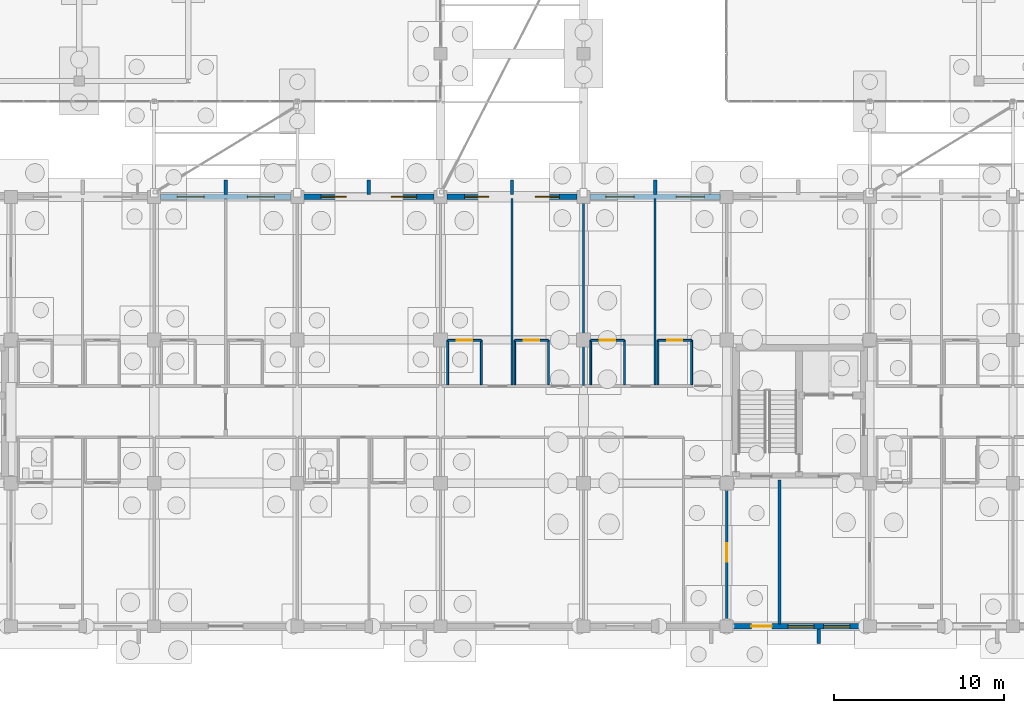
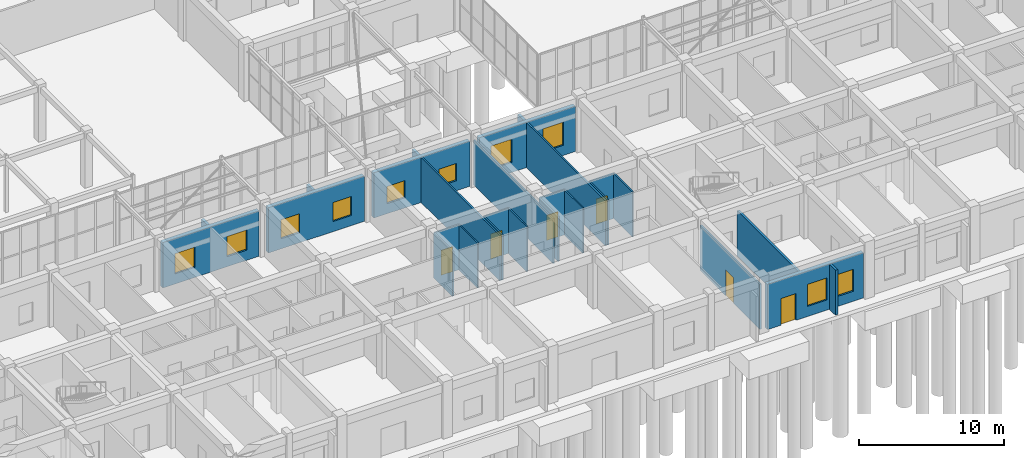
# One storey, part 155 of 192: 27 walls, 10 windows, 6 doors, 16 openings.
"""IFC4 building model written with IfcOpenShell, lengths in metres."""

from ifc_helpers import new_model, si_unit, direction, frame, frame_2d, origin, place, context, subcontext, project, spatial, rectangle, extrude, material, layer, layer_set, type_object, element, fill, save


model = new_model("IFC4")

# Units and contexts
model_context = context("Model", 3, precision=1e-05, world=origin(), true_north=direction((0.0, 1.0)))
body_context = subcontext(model_context, "Body", "Model", "MODEL_VIEW")
ifc_project = project(units=[si_unit("LENGTHUNIT", "METRE"), si_unit("AREAUNIT", "SQUARE_METRE"), si_unit("VOLUMEUNIT", "CUBIC_METRE"), si_unit("PLANEANGLEUNIT", "RADIAN"), si_unit("MASSUNIT", "GRAM", prefix="KILO")], contexts=[model_context])

# Site, building, storey
site_placement = place(None, origin())
site = spatial("IfcSite", under=ifc_project, at=site_placement, CompositionType="ELEMENT")
building_placement = place(site_placement, origin())
building = spatial("IfcBuilding", under=site, at=building_placement, Name="Trelvath General Hospital", CompositionType="ELEMENT")
storey_placement = place(building_placement, origin())
storey = spatial("IfcBuildingStorey", under=building, at=storey_placement, Name="L00", CompositionType="ELEMENT", Elevation=0.0)

# Walls
ifc_material_1 = material(Name="Precast concrete C40/50", Category="concrete")
ifc_layer_1 = layer(ifc_material_1, 0.199951171875)
ifc_layer_set_1 = layer_set([ifc_layer_1], Name="Precast concrete C40/50")
wall_type_1 = type_object("IfcWallType", Name="BriseSoleilRib 200", PredefinedType="ELEMENTEDWALL", material=ifc_layer_set_1)
for number, where, z_axis, x_axis, name in (
    (1, (63.0, 25.35009765625, 0.0), (0.0, 0.0, 1.0), (0.0, 1.0, 0.0), "Precast Concrete Brise-Soleil Rib Fin L00-28"),
    (2, (71.39990234375, 25.35009765625, 0.0), (0.0, 0.0, 1.0), (0.0, 1.0, 0.0), "Precast Concrete Brise-Soleil Rib Fin L00-31"),
    (3, (79.800048828125, 25.35009765625, 0.0), (0.0, 0.0, 1.0), (0.0, 1.0, 0.0), "Precast Concrete Brise-Soleil Rib Fin L00-34"),
    (4, (88.199951171875, 25.35009765625, 0.0), (0.0, 0.0, 1.0), (0.0, 1.0, 0.0), "Precast Concrete Brise-Soleil Rib Fin L00-37"),
):
    element("IfcWall", number, at=place(storey_placement, frame(where, z_axis=z_axis, x_axis=x_axis)), inside=storey, type_object=wall_type_1, Name=name, PredefinedType="ELEMENTEDWALL", context=body_context, shape_type="SweptSolid", body=[
        extrude(rectangle(XDim=0.849853515625, YDim=0.199951171875, at=frame_2d((0.4248046875, 0.0))), origin(), (0.0, 0.0, 1.0), 3.800048828125),
    ])
wall_1_placement = place(storey_placement, frame((97.804931640625, -0.14990234375, 0.0), z_axis=(0.0, 0.0, 1.0), x_axis=(0.0, -1.0, 0.0)))
element("IfcWall", 5, at=wall_1_placement, inside=storey, type_object=wall_type_1, Name="Precast Concrete Brise-Soleil Rib Fin L00-40", PredefinedType="ELEMENTEDWALL", context=body_context, shape_type="SweptSolid", body=[
    extrude(rectangle(XDim=0.85009765625, YDim=0.199951171875, at=frame_2d((0.425048828125, 0.0))), origin(), (0.0, 0.0, 1.0), 3.800048828125),
])
ifc_material_2 = material(Name="Moisture-resistant tile partition")
ifc_layer_2 = layer(ifc_material_2, 0.110107421875)
ifc_layer_set_2 = layer_set([ifc_layer_2], Name="Moisture-resistant tile partition")
wall_type_2 = type_object("IfcWallType", Name="EnSuiteWetWall 110", PredefinedType="PARTITIONING", material=ifc_layer_set_2)
for number, where, z_axis, x_axis, name in (
    (6, (76.02001953125, 14.169921875, 0.0), (0.0, 0.0, 1.0), (0.0, 1.0, 0.0), "En-Suite W Wall N L00-90"),
    (7, (78.0, 14.169921875, 0.0), (0.0, 0.0, 1.0), (0.0, 1.0, 0.0), "En-Suite E Wall N L00-91"),
):
    element("IfcWall", number, at=place(storey_placement, frame(where, z_axis=z_axis, x_axis=x_axis)), inside=storey, type_object=wall_type_2, Name=name, PredefinedType="PARTITIONING", context=body_context, shape_type="SweptSolid", body=[
        extrude(rectangle(XDim=2.610107421875, YDim=0.110107421875, at=frame_2d((1.30517578125, 0.0))), origin(), (0.0, 0.0, 1.0), 3.800048828125),
    ])

# Wall, opening, door
wall_2_placement = place(storey_placement, frame((76.02001953125, 16.780029296875, 0.0), z_axis=(0.0, 0.0, 1.0), x_axis=(1.0, 0.0, 0.0)))
wall_2 = element("IfcWall", 8, at=wall_2_placement, inside=storey, type_object=wall_type_2, Name="En-Suite Bathroom N Partition L00-92", PredefinedType="PARTITIONING", context=body_context, shape_type="SweptSolid", body=[
    extrude(rectangle(XDim=1.97998046875, YDim=0.110107421875, at=frame_2d((0.989990234375, 0.0))), origin(), (0.0, 0.0, 1.0), 3.800048828125),
])
opening_1_placement = place(wall_2_placement, frame((0.5400390625, 0.0, 0.0)))
opening_1 = element("IfcOpeningElement", 9, at=opening_1_placement, cuts=wall_2, Name="Opening D-0-0327", PredefinedType="OPENING", context=body_context, shape_type="SweptSolid", body=[
    extrude(rectangle(XDim=0.89990234375, YDim=2.10009765625, at=frame_2d((0.449951171875, 1.050048828125))), frame((0.0, 0.06494140625, 0.0), z_axis=(0.0, -1.0, 0.0), x_axis=(1.0, 0.0, 0.0)), (0.0, 0.0, 1.0), 0.130126953125),
])
ifc_material_3 = material(Name="Moisture-sealed timber leaf", Category="wood")
door_type_1 = type_object("IfcDoorType", Name="Door EnSuite 900x2100", OperationType="NOTDEFINED", PredefinedType="DOOR", material=ifc_material_3)
door_1_placement = place(opening_1_placement, origin())
door_1 = element("IfcDoor", 10, at=door_1_placement, inside=storey, type_object=door_type_1, Name="En-Suite Bathroom N Door L00-327", OperationType="SINGLE_SWING_RIGHT", OverallHeight=2.10009765625, OverallWidth=0.89990234375, PredefinedType="DOOR", context=body_context, shape_type="SweptSolid", body=[
    extrude(rectangle(XDim=0.89990234375, YDim=2.10009765625, at=frame_2d((0.449951171875, 1.050048828125))), frame((0.0, 0.02490234375, 0.0), z_axis=(0.0, -1.0, 0.0), x_axis=(1.0, 0.0, 0.0)), (0.0, 0.0, 1.0), 0.050048828125),
])
fill(opening_1, door_1)

# Walls
for number, where, z_axis, x_axis, name in (
    (11, (79.9599609375, 14.169921875, 0.0), (0.0, 0.0, 1.0), (0.0, 1.0, 0.0), "En-Suite W Wall N L00-93"),
    (12, (81.93994140625, 14.169921875, 0.0), (0.0, 0.0, 1.0), (0.0, 1.0, 0.0), "En-Suite E Wall N L00-94"),
):
    element("IfcWall", number, at=place(storey_placement, frame(where, z_axis=z_axis, x_axis=x_axis)), inside=storey, type_object=wall_type_2, Name=name, PredefinedType="PARTITIONING", context=body_context, shape_type="SweptSolid", body=[
        extrude(rectangle(XDim=2.610107421875, YDim=0.110107421875, at=frame_2d((1.30517578125, 0.0))), origin(), (0.0, 0.0, 1.0), 3.800048828125),
    ])

# Wall, opening, door
wall_3_placement = place(storey_placement, frame((79.9599609375, 16.780029296875, 0.0), z_axis=(0.0, 0.0, 1.0), x_axis=(1.0, 0.0, 0.0)))
wall_3 = element("IfcWall", 13, at=wall_3_placement, inside=storey, type_object=wall_type_2, Name="En-Suite Bathroom N Partition L00-95", PredefinedType="PARTITIONING", context=body_context, shape_type="SweptSolid", body=[
    extrude(rectangle(XDim=1.97998046875, YDim=0.110107421875, at=frame_2d((0.989990234375, 0.0))), origin(), (0.0, 0.0, 1.0), 3.800048828125),
])
opening_2_placement = place(wall_3_placement, frame((0.5400390625, 0.0, 0.0)))
opening_2 = element("IfcOpeningElement", 14, at=opening_2_placement, cuts=wall_3, Name="Opening D-0-0328", PredefinedType="OPENING", context=body_context, shape_type="SweptSolid", body=[
    extrude(rectangle(XDim=0.89990234375, YDim=2.10009765625, at=frame_2d((0.449951171875, 1.050048828125))), frame((0.0, 0.06494140625, 0.0), z_axis=(0.0, -1.0, 0.0), x_axis=(1.0, 0.0, 0.0)), (0.0, 0.0, 1.0), 0.130126953125),
])
door_2_placement = place(opening_2_placement, origin())
door_2 = element("IfcDoor", 15, at=door_2_placement, inside=storey, type_object=door_type_1, Name="En-Suite Bathroom N Door L00-328", OperationType="SINGLE_SWING_LEFT", OverallHeight=2.10009765625, OverallWidth=0.89990234375, PredefinedType="DOOR", context=body_context, shape_type="SweptSolid", body=[
    extrude(rectangle(XDim=0.89990234375, YDim=2.10009765625, at=frame_2d((0.449951171875, 1.050048828125))), frame((0.0, 0.02490234375, 0.0), z_axis=(0.0, -1.0, 0.0), x_axis=(1.0, 0.0, 0.0)), (0.0, 0.0, 1.0), 0.050048828125),
])
fill(opening_2, door_2)

# Walls
for number, where, z_axis, x_axis, name in (
    (16, (84.419921875, 14.169921875, 0.0), (0.0, 0.0, 1.0), (0.0, 1.0, 0.0), "En-Suite W Wall N L00-103"),
    (17, (86.39990234375, 14.169921875, 0.0), (0.0, 0.0, 1.0), (0.0, 1.0, 0.0), "En-Suite E Wall N L00-104"),
):
    element("IfcWall", number, at=place(storey_placement, frame(where, z_axis=z_axis, x_axis=x_axis)), inside=storey, type_object=wall_type_2, Name=name, PredefinedType="PARTITIONING", context=body_context, shape_type="SweptSolid", body=[
        extrude(rectangle(XDim=2.610107421875, YDim=0.110107421875, at=frame_2d((1.30517578125, 0.0))), origin(), (0.0, 0.0, 1.0), 3.800048828125),
    ])

# Wall, opening, door
wall_4_placement = place(storey_placement, frame((84.419921875, 16.780029296875, 0.0), z_axis=(0.0, 0.0, 1.0), x_axis=(1.0, 0.0, 0.0)))
wall_4 = element("IfcWall", 18, at=wall_4_placement, inside=storey, type_object=wall_type_2, Name="En-Suite Bathroom N Partition L00-105", PredefinedType="PARTITIONING", context=body_context, shape_type="SweptSolid", body=[
    extrude(rectangle(XDim=1.97998046875, YDim=0.110107421875, at=frame_2d((0.989990234375, 0.0))), origin(), (0.0, 0.0, 1.0), 3.800048828125),
])
opening_3_placement = place(wall_4_placement, frame((0.5400390625, 0.0, 0.0)))
opening_3 = element("IfcOpeningElement", 19, at=opening_3_placement, cuts=wall_4, Name="Opening D-0-0333", PredefinedType="OPENING", context=body_context, shape_type="SweptSolid", body=[
    extrude(rectangle(XDim=0.89990234375, YDim=2.10009765625, at=frame_2d((0.449951171875, 1.050048828125))), frame((0.0, 0.06494140625, 0.0), z_axis=(0.0, -1.0, 0.0), x_axis=(1.0, 0.0, 0.0)), (0.0, 0.0, 1.0), 0.130126953125),
])
door_3_placement = place(opening_3_placement, origin())
door_3 = element("IfcDoor", 20, at=door_3_placement, inside=storey, type_object=door_type_1, Name="En-Suite Bathroom N Door L00-333", OperationType="SINGLE_SWING_LEFT", OverallHeight=2.10009765625, OverallWidth=0.89990234375, PredefinedType="DOOR", context=body_context, shape_type="SweptSolid", body=[
    extrude(rectangle(XDim=0.89990234375, YDim=2.10009765625, at=frame_2d((0.449951171875, 1.050048828125))), frame((0.0, 0.02490234375, 0.0), z_axis=(0.0, -1.0, 0.0), x_axis=(1.0, 0.0, 0.0)), (0.0, 0.0, 1.0), 0.050048828125),
])
fill(opening_3, door_3)

# Walls
for number, where, z_axis, x_axis, name in (
    (21, (88.360107421875, 14.169921875, 0.0), (0.0, 0.0, 1.0), (0.0, 1.0, 0.0), "En-Suite W Wall N L00-106"),
    (22, (90.340087890625, 14.169921875, 0.0), (0.0, 0.0, 1.0), (0.0, 1.0, 0.0), "En-Suite E Wall N L00-107"),
):
    element("IfcWall", number, at=place(storey_placement, frame(where, z_axis=z_axis, x_axis=x_axis)), inside=storey, type_object=wall_type_2, Name=name, PredefinedType="PARTITIONING", context=body_context, shape_type="SweptSolid", body=[
        extrude(rectangle(XDim=2.610107421875, YDim=0.110107421875, at=frame_2d((1.30517578125, 0.0))), origin(), (0.0, 0.0, 1.0), 3.800048828125),
    ])

# Wall, opening, door
wall_5_placement = place(storey_placement, frame((88.360107421875, 16.780029296875, 0.0), z_axis=(0.0, 0.0, 1.0), x_axis=(1.0, 0.0, 0.0)))
wall_5 = element("IfcWall", 23, at=wall_5_placement, inside=storey, type_object=wall_type_2, Name="En-Suite Bathroom N Partition L00-108", PredefinedType="PARTITIONING", context=body_context, shape_type="SweptSolid", body=[
    extrude(rectangle(XDim=1.97998046875, YDim=0.110107421875, at=frame_2d((0.989990234375, 0.0))), origin(), (0.0, 0.0, 1.0), 3.800048828125),
])
opening_4_placement = place(wall_5_placement, frame((0.5400390625, 0.0, 0.0)))
opening_4 = element("IfcOpeningElement", 24, at=opening_4_placement, cuts=wall_5, Name="Opening D-0-0334", PredefinedType="OPENING", context=body_context, shape_type="SweptSolid", body=[
    extrude(rectangle(XDim=0.89990234375, YDim=2.10009765625, at=frame_2d((0.449951171875, 1.050048828125))), frame((0.0, 0.06494140625, 0.0), z_axis=(0.0, -1.0, 0.0), x_axis=(1.0, 0.0, 0.0)), (0.0, 0.0, 1.0), 0.130126953125),
])
door_4_placement = place(opening_4_placement, origin())
door_4 = element("IfcDoor", 25, at=door_4_placement, inside=storey, type_object=door_type_1, Name="En-Suite Bathroom N Door L00-334", OperationType="SINGLE_SWING_RIGHT", OverallHeight=2.10009765625, OverallWidth=0.89990234375, PredefinedType="DOOR", context=body_context, shape_type="SweptSolid", body=[
    extrude(rectangle(XDim=0.89990234375, YDim=2.10009765625, at=frame_2d((0.449951171875, 1.050048828125))), frame((0.0, 0.02490234375, 0.0), z_axis=(0.0, -1.0, 0.0), x_axis=(1.0, 0.0, 0.0)), (0.0, 0.0, 1.0), 0.050048828125),
])
fill(opening_4, door_4)

# Wall, openings, windows
ifc_material_4 = material(Name="Concrete C35/45", Category="concrete")
ifc_layer_3 = layer(ifc_material_4, 0.320068359375)
ifc_layer_set_3 = layer_set([ifc_layer_3], Name="Concrete C35/45")
wall_type_3 = type_object("IfcWallType", Name="ExtThermalWall 320", PredefinedType="SOLIDWALL", material=ifc_layer_set_3)
wall_6_placement = place(storey_placement, frame((59.175048828125, 25.199951171875, 0.0), z_axis=(0.0, 0.0, 1.0), x_axis=(1.0, 0.0, 0.0)))
wall_6 = element("IfcWall", 26, at=wall_6_placement, inside=storey, type_object=wall_type_3, Name="Exterior Concrete Wall L00-42", PredefinedType="SOLIDWALL", context=body_context, shape_type="SweptSolid", body=[
    extrude(rectangle(XDim=7.64990234375, YDim=0.320068359375, at=frame_2d((3.824951171875, 0.0))), origin(), (0.0, 0.0, 1.0), 3.820068359375),
])
opening_5_placement = place(wall_6_placement, frame((0.969482421875, 0.0, 0.85009765625)))
opening_5 = element("IfcOpeningElement", 27, at=opening_5_placement, cuts=wall_6, Name="Opening WN-0-063", PredefinedType="OPENING", context=body_context, shape_type="SweptSolid", body=[
    extrude(rectangle(XDim=1.580078125, YDim=1.699951171875, at=frame_2d((0.7900390625, 0.85009765625))), frame((0.0, 0.169921875, 0.0), z_axis=(0.0, -1.0, 0.0), x_axis=(1.0, 0.0, 0.0)), (0.0, 0.0, 1.0), 0.340087890625),
])
opening_6_placement = place(wall_6_placement, frame((5.1005859375, 0.0, 0.85009765625)))
opening_6 = element("IfcOpeningElement", 28, at=opening_6_placement, cuts=wall_6, Name="Opening WN-0-064", PredefinedType="OPENING", context=body_context, shape_type="SweptSolid", body=[
    extrude(rectangle(XDim=1.580078125, YDim=1.699951171875, at=frame_2d((0.7900390625, 0.85009765625))), frame((0.0, 0.169921875, 0.0), z_axis=(0.0, -1.0, 0.0), x_axis=(1.0, 0.0, 0.0)), (0.0, 0.0, 1.0), 0.340087890625),
])
ifc_material_5 = material(Name="Low-E laminated glass", Category="glass")
window_type_1 = type_object("IfcWindowType", Name="Window Recovery 1580x1700", PartitioningType="DOUBLE_PANEL_VERTICAL", PredefinedType="WINDOW", material=ifc_material_5)
window_1_placement = place(opening_5_placement, origin())
window_1 = element("IfcWindow", 29, at=window_1_placement, inside=storey, type_object=window_type_1, Name="Solar Reveal Window L00-63", OverallHeight=1.699951171875, OverallWidth=1.580078125, PartitioningType="SINGLE_PANEL", PredefinedType="WINDOW", context=body_context, shape_type="SweptSolid", body=[
    extrude(rectangle(XDim=1.580078125, YDim=1.699951171875, at=frame_2d((0.7900390625, 0.85009765625))), frame((0.0, 0.030029296875, 0.0), z_axis=(0.0, -1.0, 0.0), x_axis=(1.0, 0.0, 0.0)), (0.0, 0.0, 1.0), 0.06005859375),
])
fill(opening_5, window_1)
window_2_placement = place(opening_6_placement, origin())
window_2 = element("IfcWindow", 30, at=window_2_placement, inside=storey, type_object=window_type_1, Name="Solar Reveal Window L00-64", OverallHeight=1.699951171875, OverallWidth=1.580078125, PartitioningType="SINGLE_PANEL", PredefinedType="WINDOW", context=body_context, shape_type="SweptSolid", body=[
    extrude(rectangle(XDim=1.580078125, YDim=1.699951171875, at=frame_2d((0.7900390625, 0.85009765625))), frame((0.0, 0.030029296875, 0.0), z_axis=(0.0, -1.0, 0.0), x_axis=(1.0, 0.0, 0.0)), (0.0, 0.0, 1.0), 0.06005859375),
])
fill(opening_6, window_2)

wall_7_placement = place(storey_placement, frame((67.574951171875, 25.199951171875, 0.0), z_axis=(0.0, 0.0, 1.0), x_axis=(1.0, 0.0, 0.0)))
wall_7 = element("IfcWall", 31, at=wall_7_placement, inside=storey, type_object=wall_type_3, Name="Exterior Concrete Wall L00-46", PredefinedType="SOLIDWALL", context=body_context, shape_type="SweptSolid", body=[
    extrude(rectangle(XDim=7.650146484375, YDim=0.320068359375, at=frame_2d((3.8251953125, 0.0))), origin(), (0.0, 0.0, 1.0), 3.820068359375),
])
opening_7_placement = place(wall_7_placement, frame((1.01953125, 0.0, 0.85009765625)))
opening_7 = element("IfcOpeningElement", 32, at=opening_7_placement, cuts=wall_7, Name="Opening WN-0-069", PredefinedType="OPENING", context=body_context, shape_type="SweptSolid", body=[
    extrude(rectangle(XDim=1.47998046875, YDim=1.60009765625, at=frame_2d((0.739990234375, 0.800048828125))), frame((0.0, 0.169921875, 0.0), z_axis=(0.0, -1.0, 0.0), x_axis=(1.0, 0.0, 0.0)), (0.0, 0.0, 1.0), 0.340087890625),
])
opening_8_placement = place(wall_7_placement, frame((5.150390625, 0.0, 0.85009765625)))
opening_8 = element("IfcOpeningElement", 33, at=opening_8_placement, cuts=wall_7, Name="Opening WN-0-070", PredefinedType="OPENING", context=body_context, shape_type="SweptSolid", body=[
    extrude(rectangle(XDim=1.47998046875, YDim=1.60009765625, at=frame_2d((0.739990234375, 0.800048828125))), frame((0.0, 0.169921875, 0.0), z_axis=(0.0, -1.0, 0.0), x_axis=(1.0, 0.0, 0.0)), (0.0, 0.0, 1.0), 0.340087890625),
])
ifc_material_6 = material(Name="Low-E laminated glass", Category="glass")
window_type_2 = type_object("IfcWindowType", Name="Window Clinic 1480x1600", PartitioningType="DOUBLE_PANEL_VERTICAL", PredefinedType="WINDOW", material=ifc_material_6)
window_3_placement = place(opening_7_placement, origin())
window_3 = element("IfcWindow", 34, at=window_3_placement, inside=storey, type_object=window_type_2, Name="Solar Reveal Window L00-69", OverallHeight=1.60009765625, OverallWidth=1.47998046875, PartitioningType="SINGLE_PANEL", PredefinedType="WINDOW", context=body_context, shape_type="SweptSolid", body=[
    extrude(rectangle(XDim=1.47998046875, YDim=1.60009765625, at=frame_2d((0.739990234375, 0.800048828125))), frame((0.0, 0.030029296875, 0.0), z_axis=(0.0, -1.0, 0.0), x_axis=(1.0, 0.0, 0.0)), (0.0, 0.0, 1.0), 0.06005859375),
])
fill(opening_7, window_3)
window_4_placement = place(opening_8_placement, origin())
window_4 = element("IfcWindow", 35, at=window_4_placement, inside=storey, type_object=window_type_2, Name="Solar Reveal Window L00-70", OverallHeight=1.60009765625, OverallWidth=1.47998046875, PartitioningType="SINGLE_PANEL", PredefinedType="WINDOW", context=body_context, shape_type="SweptSolid", body=[
    extrude(rectangle(XDim=1.47998046875, YDim=1.60009765625, at=frame_2d((0.739990234375, 0.800048828125))), frame((0.0, 0.030029296875, 0.0), z_axis=(0.0, -1.0, 0.0), x_axis=(1.0, 0.0, 0.0)), (0.0, 0.0, 1.0), 0.06005859375),
])
fill(opening_8, window_4)

wall_8_placement = place(storey_placement, frame((75.97509765625, 25.199951171875, 0.0), z_axis=(0.0, 0.0, 1.0), x_axis=(1.0, 0.0, 0.0)))
wall_8 = element("IfcWall", 36, at=wall_8_placement, inside=storey, type_object=wall_type_3, Name="Exterior Concrete Wall L00-50", PredefinedType="SOLIDWALL", context=body_context, shape_type="SweptSolid", body=[
    extrude(rectangle(XDim=7.64990234375, YDim=0.320068359375, at=frame_2d((3.824951171875, 0.0))), origin(), (0.0, 0.0, 1.0), 3.820068359375),
])
opening_9_placement = place(wall_8_placement, frame((1.049560546875, 0.0, 0.85009765625)))
opening_9 = element("IfcOpeningElement", 37, at=opening_9_placement, cuts=wall_8, Name="Opening WN-0-075", PredefinedType="OPENING", context=body_context, shape_type="SweptSolid", body=[
    extrude(rectangle(XDim=1.419921875, YDim=1.449951171875, at=frame_2d((0.7099609375, 0.72509765625))), frame((0.0, 0.169921875, 0.0), z_axis=(0.0, -1.0, 0.0), x_axis=(1.0, 0.0, 0.0)), (0.0, 0.0, 1.0), 0.340087890625),
])
opening_10_placement = place(wall_8_placement, frame((5.180419921875, 0.0, 0.85009765625)))
opening_10 = element("IfcOpeningElement", 38, at=opening_10_placement, cuts=wall_8, Name="Opening WN-0-076", PredefinedType="OPENING", context=body_context, shape_type="SweptSolid", body=[
    extrude(rectangle(XDim=1.419921875, YDim=1.449951171875, at=frame_2d((0.7099609375, 0.72509765625))), frame((0.0, 0.169921875, 0.0), z_axis=(0.0, -1.0, 0.0), x_axis=(1.0, 0.0, 0.0)), (0.0, 0.0, 1.0), 0.340087890625),
])
ifc_material_7 = material(Name="Low-E laminated glass", Category="glass")
window_type_3 = type_object("IfcWindowType", Name="Window Lab 1420x1450", PartitioningType="DOUBLE_PANEL_VERTICAL", PredefinedType="WINDOW", material=ifc_material_7)
window_5_placement = place(opening_9_placement, origin())
window_5 = element("IfcWindow", 39, at=window_5_placement, inside=storey, type_object=window_type_3, Name="Solar Reveal Window L00-75", OverallHeight=1.449951171875, OverallWidth=1.419921875, PartitioningType="SINGLE_PANEL", PredefinedType="WINDOW", context=body_context, shape_type="SweptSolid", body=[
    extrude(rectangle(XDim=1.419921875, YDim=1.449951171875, at=frame_2d((0.7099609375, 0.72509765625))), frame((0.0, 0.030029296875, 0.0), z_axis=(0.0, -1.0, 0.0), x_axis=(1.0, 0.0, 0.0)), (0.0, 0.0, 1.0), 0.06005859375),
])
fill(opening_9, window_5)
window_6_placement = place(opening_10_placement, origin())
window_6 = element("IfcWindow", 40, at=window_6_placement, inside=storey, type_object=window_type_3, Name="Solar Reveal Window L00-76", OverallHeight=1.449951171875, OverallWidth=1.419921875, PartitioningType="SINGLE_PANEL", PredefinedType="WINDOW", context=body_context, shape_type="SweptSolid", body=[
    extrude(rectangle(XDim=1.419921875, YDim=1.449951171875, at=frame_2d((0.7099609375, 0.72509765625))), frame((0.0, 0.030029296875, 0.0), z_axis=(0.0, -1.0, 0.0), x_axis=(1.0, 0.0, 0.0)), (0.0, 0.0, 1.0), 0.06005859375),
])
fill(opening_10, window_6)

wall_9_placement = place(storey_placement, frame((84.375, 25.199951171875, 0.0), z_axis=(0.0, 0.0, 1.0), x_axis=(1.0, 0.0, 0.0)))
wall_9 = element("IfcWall", 41, at=wall_9_placement, inside=storey, type_object=wall_type_3, Name="Exterior Concrete Wall L00-57", PredefinedType="SOLIDWALL", context=body_context, shape_type="SweptSolid", body=[
    extrude(rectangle(XDim=7.64990234375, YDim=0.320068359375, at=frame_2d((3.824951171875, 0.0))), origin(), (0.0, 0.0, 1.0), 3.820068359375),
])
opening_11_placement = place(wall_9_placement, frame((0.929443359375, 0.0, 0.85009765625)))
opening_11 = element("IfcOpeningElement", 42, at=opening_11_placement, cuts=wall_9, Name="Opening WN-0-081", PredefinedType="OPENING", context=body_context, shape_type="SweptSolid", body=[
    extrude(rectangle(XDim=1.659912109375, YDim=1.949951171875, at=frame_2d((0.830078125, 0.97509765625))), frame((0.0, 0.169921875, 0.0), z_axis=(0.0, -1.0, 0.0), x_axis=(1.0, 0.0, 0.0)), (0.0, 0.0, 1.0), 0.340087890625),
])
opening_12_placement = place(wall_9_placement, frame((5.060546875, 0.0, 0.85009765625)))
opening_12 = element("IfcOpeningElement", 43, at=opening_12_placement, cuts=wall_9, Name="Opening WN-0-082", PredefinedType="OPENING", context=body_context, shape_type="SweptSolid", body=[
    extrude(rectangle(XDim=1.659912109375, YDim=1.949951171875, at=frame_2d((0.830078125, 0.97509765625))), frame((0.0, 0.169921875, 0.0), z_axis=(0.0, -1.0, 0.0), x_axis=(1.0, 0.0, 0.0)), (0.0, 0.0, 1.0), 0.340087890625),
])
ifc_material_8 = material(Name="Low-E laminated glass", Category="glass")
window_type_4 = type_object("IfcWindowType", Name="Window Dayroom 1660x1950", PartitioningType="DOUBLE_PANEL_VERTICAL", PredefinedType="WINDOW", material=ifc_material_8)
window_7_placement = place(opening_11_placement, origin())
window_7 = element("IfcWindow", 44, at=window_7_placement, inside=storey, type_object=window_type_4, Name="Solar Reveal Window L00-81", OverallHeight=1.949951171875, OverallWidth=1.659912109375, PartitioningType="SINGLE_PANEL", PredefinedType="WINDOW", context=body_context, shape_type="SweptSolid", body=[
    extrude(rectangle(XDim=1.659912109375, YDim=1.949951171875, at=frame_2d((0.830078125, 0.97509765625))), frame((0.0, 0.030029296875, 0.0), z_axis=(0.0, -1.0, 0.0), x_axis=(1.0, 0.0, 0.0)), (0.0, 0.0, 1.0), 0.06005859375),
])
fill(opening_11, window_7)
window_8_placement = place(opening_12_placement, origin())
window_8 = element("IfcWindow", 45, at=window_8_placement, inside=storey, type_object=window_type_4, Name="Solar Reveal Window L00-82", OverallHeight=1.949951171875, OverallWidth=1.659912109375, PartitioningType="SINGLE_PANEL", PredefinedType="WINDOW", context=body_context, shape_type="SweptSolid", body=[
    extrude(rectangle(XDim=1.659912109375, YDim=1.949951171875, at=frame_2d((0.830078125, 0.97509765625))), frame((0.0, 0.030029296875, 0.0), z_axis=(0.0, -1.0, 0.0), x_axis=(1.0, 0.0, 0.0)), (0.0, 0.0, 1.0), 0.06005859375),
])
fill(opening_12, window_8)

# Wall, openings, door, windows
wall_10_placement = place(storey_placement, frame((100.425048828125, 0.0, 0.0), z_axis=(0.0, 0.0, 1.0), x_axis=(-1.0, 0.0, 0.0)))
wall_10 = element("IfcWall", 46, at=wall_10_placement, inside=storey, type_object=wall_type_3, Name="Exterior Concrete Wall L00-64", PredefinedType="SOLIDWALL", context=body_context, shape_type="SweptSolid", body=[
    extrude(rectangle(XDim=7.650146484375, YDim=0.320068359375, at=frame_2d((3.8251953125, 0.0))), origin(), (0.0, 0.0, 1.0), 3.820068359375),
])
opening_13_placement = place(wall_10_placement, frame((5.375, 0.0, 0.0)))
opening_13 = element("IfcOpeningElement", 47, at=opening_13_placement, cuts=wall_10, Name="Opening E-ST5", PredefinedType="OPENING", context=body_context, shape_type="SweptSolid", body=[
    extrude(rectangle(XDim=1.199951171875, YDim=2.25, at=frame_2d((0.60009765625, 1.125))), frame((0.0, 0.169921875, 0.0), z_axis=(0.0, -1.0, 0.0), x_axis=(1.0, 0.0, 0.0)), (0.0, 0.0, 1.0), 0.340087890625),
])
opening_14_placement = place(wall_10_placement, frame((0.800048828125, 0.0, 0.85009765625)))
opening_14 = element("IfcOpeningElement", 48, at=opening_14_placement, cuts=wall_10, Name="Opening WN-0-087", PredefinedType="OPENING", context=body_context, shape_type="SweptSolid", body=[
    extrude(rectangle(XDim=1.5400390625, YDim=1.85009765625, at=frame_2d((0.77001953125, 0.925048828125))), frame((0.0, 0.169921875, 0.0), z_axis=(0.0, -1.0, 0.0), x_axis=(1.0, 0.0, 0.0)), (0.0, 0.0, 1.0), 0.340087890625),
])
opening_15_placement = place(wall_10_placement, frame((2.89990234375, 0.0, 0.85009765625)))
opening_15 = element("IfcOpeningElement", 49, at=opening_15_placement, cuts=wall_10, Name="Opening WN-0-088", PredefinedType="OPENING", context=body_context, shape_type="SweptSolid", body=[
    extrude(rectangle(XDim=1.5400390625, YDim=1.85009765625, at=frame_2d((0.77001953125, 0.925048828125))), frame((0.0, 0.169921875, 0.0), z_axis=(0.0, -1.0, 0.0), x_axis=(1.0, 0.0, 0.0)), (0.0, 0.0, 1.0), 0.340087890625),
])
ifc_material_9 = material(Name="Thermally broken glazed aluminium door", Category="aluminium")
door_type_2 = type_object("IfcDoorType", Name="Door Terrace 1200x2250", OperationType="NOTDEFINED", PredefinedType="DOOR", material=ifc_material_9)
door_5_placement = place(opening_13_placement, origin())
door_5 = element("IfcDoor", 50, at=door_5_placement, inside=storey, type_object=door_type_2, Name="Pedestrian Final Exit Discharge Door E-ST5", OperationType="SINGLE_SWING_LEFT", OverallHeight=2.25, OverallWidth=1.199951171875, PredefinedType="DOOR", context=body_context, shape_type="SweptSolid", body=[
    extrude(rectangle(XDim=1.199951171875, YDim=2.25, at=frame_2d((0.60009765625, 1.125))), frame((0.0, 0.02490234375, 0.0), z_axis=(0.0, -1.0, 0.0), x_axis=(1.0, 0.0, 0.0)), (0.0, 0.0, 1.0), 0.050048828125),
])
fill(opening_13, door_5)
ifc_material_10 = material(Name="Low-E laminated glass", Category="glass")
window_type_5 = type_object("IfcWindowType", Name="Window Waiting 1540x1850", PartitioningType="DOUBLE_PANEL_VERTICAL", PredefinedType="WINDOW", material=ifc_material_10)
window_9_placement = place(opening_14_placement, origin())
window_9 = element("IfcWindow", 51, at=window_9_placement, inside=storey, type_object=window_type_5, Name="Solar Reveal Window L00-87", OverallHeight=1.85009765625, OverallWidth=1.5400390625, PartitioningType="SINGLE_PANEL", PredefinedType="WINDOW", context=body_context, shape_type="SweptSolid", body=[
    extrude(rectangle(XDim=1.5400390625, YDim=1.85009765625, at=frame_2d((0.77001953125, 0.925048828125))), frame((0.0, 0.030029296875, 0.0), z_axis=(0.0, -1.0, 0.0), x_axis=(1.0, 0.0, 0.0)), (0.0, 0.0, 1.0), 0.06005859375),
])
fill(opening_14, window_9)
window_10_placement = place(opening_15_placement, origin())
window_10 = element("IfcWindow", 52, at=window_10_placement, inside=storey, type_object=window_type_5, Name="Solar Reveal Window L00-88", OverallHeight=1.85009765625, OverallWidth=1.5400390625, PartitioningType="SINGLE_PANEL", PredefinedType="WINDOW", context=body_context, shape_type="SweptSolid", body=[
    extrude(rectangle(XDim=1.5400390625, YDim=1.85009765625, at=frame_2d((0.77001953125, 0.925048828125))), frame((0.0, 0.030029296875, 0.0), z_axis=(0.0, -1.0, 0.0), x_axis=(1.0, 0.0, 0.0)), (0.0, 0.0, 1.0), 0.06005859375),
])
fill(opening_15, window_10)

# Walls
ifc_material_11 = material(Name="Masonry fire blockwork", Category="masonry")
ifc_layer_4 = layer(ifc_material_11, 0.179931640625)
ifc_layer_set_4 = layer_set([ifc_layer_4], Name="Masonry fire blockwork")
wall_type_4 = type_object("IfcWallType", Name="SmokeBarrierWall 180", PredefinedType="PARTITIONING", material=ifc_layer_set_4)
wall_11_placement = place(storey_placement, frame((95.510009765625, 0.139892578125, 0.0), z_axis=(0.0, 0.0, 1.0), x_axis=(0.0, 1.0, 0.0)))
element("IfcWall", 53, at=wall_11_placement, inside=storey, type_object=wall_type_4, Name="Exit Passage Fire Wall ST5 L00", PredefinedType="PARTITIONING", context=body_context, shape_type="SweptSolid", body=[
    extrude(rectangle(XDim=8.4501953125, YDim=0.179931640625, at=frame_2d((4.22509765625, 0.0))), origin(), (0.0, 0.0, 1.0), 3.800048828125),
])
ifc_material_12 = material(Name="Gypsum acoustic steel-stud partition", Category="steel")
ifc_layer_5 = layer(ifc_material_12, 0.1298828125)
ifc_layer_set_5 = layer_set([ifc_layer_5], Name="Gypsum acoustic steel-stud partition")
wall_type_5 = type_object("IfcWallType", Name="WardPartition 130", PredefinedType="PARTITIONING", material=ifc_layer_set_5)
wall_12_placement = place(storey_placement, frame((79.800048828125, 14.169921875, 0.0), z_axis=(0.0, 0.0, 1.0), x_axis=(0.0, 1.0, 0.0)))
element("IfcWall", 54, at=wall_12_placement, inside=storey, type_object=wall_type_5, Name="Room Dividing Partition N L00-89", PredefinedType="PARTITIONING", context=body_context, shape_type="SweptSolid", body=[
    extrude(rectangle(XDim=10.93017578125, YDim=0.1298828125, at=frame_2d((5.465087890625, 0.0))), origin(), (0.0, 0.0, 1.0), 3.800048828125),
])
wall_13_placement = place(storey_placement, frame((84.0, 14.1201171875, 0.0), z_axis=(0.0, 0.0, 1.0), x_axis=(0.0, 1.0, 0.0)))
element("IfcWall", 55, at=wall_13_placement, inside=storey, type_object=wall_type_5, Name="Inter-Bay Ward Partition N L00-97", PredefinedType="PARTITIONING", context=body_context, shape_type="SweptSolid", body=[
    extrude(rectangle(XDim=10.93994140625, YDim=0.1298828125, at=frame_2d((5.469970703125, 0.0))), origin(), (0.0, 0.0, 1.0), 3.800048828125),
])
wall_14_placement = place(storey_placement, frame((88.199951171875, 14.169921875, 0.0), z_axis=(0.0, 0.0, 1.0), x_axis=(0.0, 1.0, 0.0)))
element("IfcWall", 56, at=wall_14_placement, inside=storey, type_object=wall_type_5, Name="Room Dividing Partition N L00-102", PredefinedType="PARTITIONING", context=body_context, shape_type="SweptSolid", body=[
    extrude(rectangle(XDim=10.93017578125, YDim=0.1298828125, at=frame_2d((5.465087890625, 0.0))), origin(), (0.0, 0.0, 1.0), 3.800048828125),
])

# Wall, opening, door
wall_15_placement = place(storey_placement, frame((92.39990234375, 0.139892578125, 0.0), z_axis=(0.0, 0.0, 1.0), x_axis=(0.0, 1.0, 0.0)))
wall_15 = element("IfcWall", 57, at=wall_15_placement, inside=storey, type_object=wall_type_5, Name="Inter-Bay Ward Partition S L00-109", PredefinedType="PARTITIONING", context=body_context, shape_type="SweptSolid", body=[
    extrude(rectangle(XDim=8.210205078125, YDim=0.1298828125, at=frame_2d((4.10498046875, 0.0))), origin(), (0.0, 0.0, 1.0), 3.800048828125),
])
opening_16_placement = place(wall_15_placement, frame((3.639892578125, 0.0, 0.0)))
opening_16 = element("IfcOpeningElement", 58, at=opening_16_placement, cuts=wall_15, Name="Opening D-0-0335", PredefinedType="OPENING", context=body_context, shape_type="SweptSolid", body=[
    extrude(rectangle(XDim=1.080078125, YDim=2.14990234375, at=frame_2d((0.5400390625, 1.074951171875))), frame((0.0, 0.074951171875, 0.0), z_axis=(0.0, -1.0, 0.0), x_axis=(1.0, 0.0, 0.0)), (0.0, 0.0, 1.0), 0.14990234375),
])
ifc_material_13 = material(Name="Acoustic hospital timber leaf", Category="wood")
door_type_3 = type_object("IfcDoorType", Name="Door CleanSupply 1080x2150", OperationType="NOTDEFINED", PredefinedType="DOOR", material=ifc_material_13)
door_6_placement = place(opening_16_placement, origin())
door_6 = element("IfcDoor", 59, at=door_6_placement, inside=storey, type_object=door_type_3, Name="Clean Supply Connecting Door L00-335", OperationType="SINGLE_SWING_LEFT", OverallHeight=2.14990234375, OverallWidth=1.080078125, PredefinedType="DOOR", context=body_context, shape_type="SweptSolid", body=[
    extrude(rectangle(XDim=1.080078125, YDim=2.14990234375, at=frame_2d((0.5400390625, 1.074951171875))), frame((0.0, 0.02490234375, 0.0), z_axis=(0.0, -1.0, 0.0), x_axis=(1.0, 0.0, 0.0)), (0.0, 0.0, 1.0), 0.050048828125),
])
fill(opening_16, door_6)

save(model, "model.ifc")
